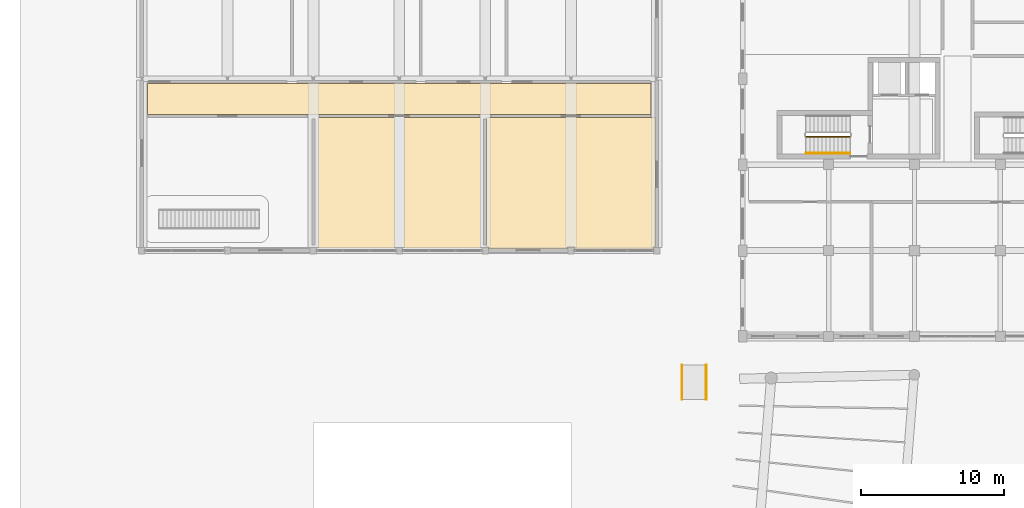
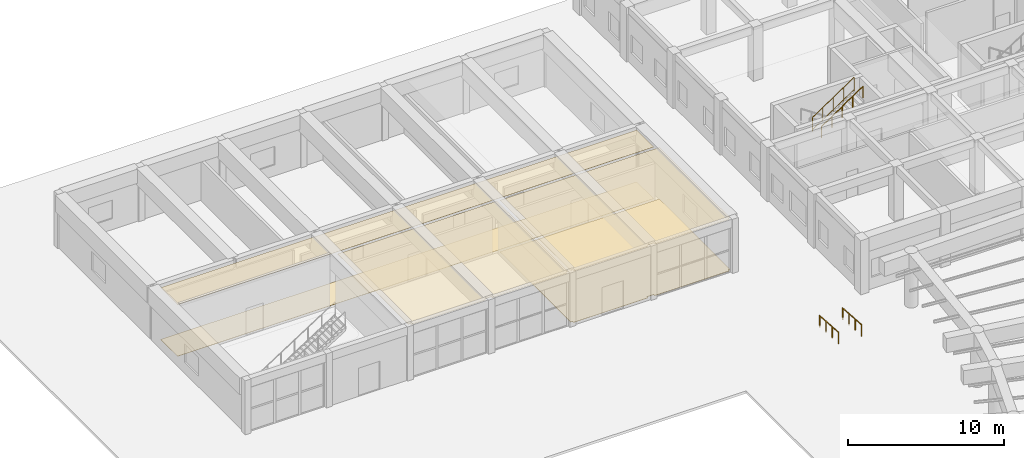
# One storey, part 71 of 76: 5 coverings, 4 railings.
"""IFC4 building model written with IfcOpenShell, lengths in metres."""

from ifc_helpers import new_model, si_unit, direction, frame, origin, origin_2d, place, context, subcontext, project, spatial, polyline, circle, outline, extrude, material, layer, layer_set, type_object, element, save


model = new_model("IFC4")

# Units and contexts
model_context = context("Model", 3, precision=1e-05, world=origin(), true_north=direction((0.0, 1.0)))
body_context = subcontext(model_context, "Body", "Model", "MODEL_VIEW")
ifc_project = project(units=[si_unit("LENGTHUNIT", "METRE"), si_unit("AREAUNIT", "SQUARE_METRE"), si_unit("VOLUMEUNIT", "CUBIC_METRE"), si_unit("PLANEANGLEUNIT", "RADIAN"), si_unit("MASSUNIT", "GRAM", prefix="KILO"), si_unit("POWERUNIT", "WATT"), si_unit("THERMODYNAMICTEMPERATUREUNIT", "KELVIN")], contexts=[model_context])

# Site, building, storey
site_placement = place(None, origin())
site = spatial("IfcSite", under=ifc_project, at=site_placement, CompositionType="ELEMENT")
building_placement = place(site_placement, origin())
building = spatial("IfcBuilding", under=site, at=building_placement, Name="Ruvembo Vaulted Housing Court", CompositionType="ELEMENT")
storey_placement = place(building_placement, origin())
storey = spatial("IfcBuildingStorey", under=building, at=storey_placement, Name="L00", CompositionType="ELEMENT", Elevation=0.0)

# Coverings
ifc_material_1 = material(Name="Perforated Mineral-Fibre Acoustic Tile", Category="gypsum")
ifc_layer_1 = layer(ifc_material_1, 0.02001953125, Name="Perforated Mineral-Fibre Acoustic Tile")
ifc_layer_set_1 = layer_set([ifc_layer_1], Name="Perforated Mineral-Fibre Acoustic Tile")
covering_type_1 = type_object("IfcCoveringType", Name="COV-CEIL-ACOUST", PredefinedType="CEILING", material=ifc_layer_set_1)
covering_1_placement = place(storey_placement, frame((0.0, 0.0, 4.034912109375)))
element("IfcCovering", 1, at=covering_1_placement, inside=storey, type_object=covering_type_1, Name="Nursery L00 Central Corridor Ceiling", PredefinedType="CEILING", context=body_context, shape_type="SweptSolid", body=[
    extrude(outline(polyline([(6.409912109375, 95.68994140625), (6.409912109375, 93.510009765625), (41.590087890625, 93.510009765625), (41.590087890625, 95.68994140625), (6.409912109375, 95.68994140625)])), origin(), (0.0, 0.0, 1.0), 0.02001953125),
])
covering_2_placement = place(storey_placement, frame((0.0, 0.0, 4.034912109375)))
element("IfcCovering", 2, at=covering_2_placement, inside=storey, type_object=covering_type_1, Name="Toddler Playroom 1 Ceiling", PredefinedType="CEILING", context=body_context, shape_type="SweptSolid", body=[
    extrude(outline(polyline([(29.889892578125, 84.2451171875), (29.889892578125, 93.2900390625), (18.110107421875, 93.2900390625), (18.110107421875, 84.2451171875), (18.2451171875, 84.2451171875), (18.2451171875, 84.110107421875), (23.7548828125, 84.110107421875), (23.7548828125, 84.2451171875), (24.2451171875, 84.2451171875), (24.2451171875, 84.110107421875), (29.7548828125, 84.110107421875), (29.7548828125, 84.2451171875), (29.889892578125, 84.2451171875)])), origin(), (0.0, 0.0, 1.0), 0.02001953125),
])
covering_3_placement = place(storey_placement, frame((0.0, 0.0, 4.034912109375)))
element("IfcCovering", 3, at=covering_3_placement, inside=storey, type_object=covering_type_1, Name="Preschool Playroom 2 Ceiling", PredefinedType="CEILING", context=body_context, shape_type="SweptSolid", body=[
    extrude(outline(polyline([(41.889892578125, 84.2451171875), (41.889892578125, 93.2900390625), (30.110107421875, 93.2900390625), (30.110107421875, 84.2451171875), (30.2451171875, 84.2451171875), (30.2451171875, 84.110107421875), (35.7548828125, 84.110107421875), (35.7548828125, 84.2451171875), (36.2451171875, 84.2451171875), (36.2451171875, 84.110107421875), (41.7548828125, 84.110107421875), (41.7548828125, 84.2451171875), (41.889892578125, 84.2451171875)])), origin(), (0.0, 0.0, 1.0), 0.02001953125),
])
ifc_material_2 = material(Name="Polished Cement-Aggregate Terrazzo", Category="stone")
ifc_layer_2 = layer(ifc_material_2, 0.02197265625, Name="Polished Cement-Aggregate Terrazzo")
ifc_layer_set_2 = layer_set([ifc_layer_2], Name="Polished Cement-Aggregate Terrazzo")
covering_type_2 = type_object("IfcCoveringType", Name="COV-FLR-CERAMIC", PredefinedType="FLOORING", material=ifc_layer_set_2)
covering_4_placement = place(storey_placement, origin())
element("IfcCovering", 4, at=covering_4_placement, inside=storey, type_object=covering_type_2, Name="Nursery L00 Central Corridor Flooring", PredefinedType="FLOORING", context=body_context, shape_type="SweptSolid", body=[
    extrude(outline(polyline([(6.409912109375, 95.68994140625), (6.409912109375, 93.510009765625), (41.590087890625, 93.510009765625), (41.590087890625, 95.68994140625), (6.409912109375, 95.68994140625)])), origin(), (0.0, 0.0, 1.0), 0.02197265625),
])
covering_5_placement = place(storey_placement, origin())
element("IfcCovering", 5, at=covering_5_placement, inside=storey, type_object=covering_type_2, Name="Preschool Playroom 2 Flooring", PredefinedType="FLOORING", context=body_context, shape_type="SweptSolid", body=[
    extrude(outline(polyline([(41.889892578125, 84.2451171875), (41.889892578125, 93.2900390625), (30.110107421875, 93.2900390625), (30.110107421875, 84.2451171875), (30.2451171875, 84.2451171875), (30.2451171875, 84.110107421875), (35.7548828125, 84.110107421875), (35.7548828125, 84.2451171875), (36.2451171875, 84.2451171875), (36.2451171875, 84.110107421875), (41.7548828125, 84.110107421875), (41.7548828125, 84.2451171875), (41.889892578125, 84.2451171875)])), origin(), (0.0, 0.0, 1.0), 0.02197265625),
])

# Railings
ifc_material_3 = material(Name="Brushed Stainless Steel 316", Category="steel")
ifc_layer_3 = layer(ifc_material_3, 0.050048828125, Name="Brushed Stainless Steel 316")
ifc_layer_set_3 = layer_set([ifc_layer_3], Name="Brushed Stainless Steel 316")
railing_type_1 = type_object("IfcRailingType", Name="RL-RAMP-HR920", PredefinedType="HANDRAIL", material=ifc_layer_set_3)
for number, where, name in (
    (6, (45.449951171875, 76.0, -0.14990234375), "Ramp RMP-04 Handrail L"),
    (7, (43.75, 76.0, -0.14990234375), "Ramp RMP-04 Handrail R"),
):
    element("IfcRailing", number, at=place(storey_placement, frame(where)), inside=storey, type_object=railing_type_1, Name=name, PredefinedType="HANDRAIL", context=body_context, shape_type="SweptSolid", body=[
        extrude(circle(Radius=0.02392578125, at=origin_2d()), frame((0.0, 0.0, 0.89599609375), z_axis=(0.0, -0.998054948148, 0.062340359935), x_axis=(1.0, 0.0, 0.0)), (0.0, 0.0, 1.0), 2.404541015625),
        extrude(circle(Radius=0.02099609375, at=origin_2d()), origin(), (0.0, 0.0, 1.0), 0.871826171875),
        extrude(circle(Radius=0.02099609375, at=origin_2d()), frame((0.0, -0.800048828125, 0.050048828125)), (0.0, 0.0, 1.0), 0.871826171875),
        extrude(circle(Radius=0.02099609375, at=origin_2d()), frame((0.0, -1.599853515625, 0.099853515625)), (0.0, 0.0, 1.0), 0.871826171875),
        extrude(circle(Radius=0.02099609375, at=origin_2d()), frame((0.0, -2.39990234375, 0.14990234375)), (0.0, 0.0, 1.0), 0.871826171875),
    ])
ifc_material_4 = material(Name="Painted Galvanised Steel S275", Category="steel")
ifc_layer_4 = layer(ifc_material_4, 0.06005859375, Name="Painted Galvanised Steel S275")
ifc_layer_set_4 = layer_set([ifc_layer_4], Name="Painted Galvanised Steel S275")
railing_type_2 = type_object("IfcRailingType", Name="RL-STAIR-GR1100", PredefinedType="GUARDRAIL", material=ifc_layer_set_4)
railing_1_placement = place(storey_placement, frame((52.419921875, 91.949951171875, 2.4375)))
element("IfcRailing", 8, at=railing_1_placement, inside=storey, type_object=railing_type_2, Name="L00 ST-B1 stair guard 3", PredefinedType="GUARDRAIL", context=body_context, shape_type="SweptSolid", body=[
    extrude(circle(Radius=0.02392578125, at=origin_2d()), frame((0.0, 0.0, 1.076171875), z_axis=(0.830913701846, 0.0, 0.55640131208), x_axis=(0.0, 1.0, 0.0)), (0.0, 0.0, 1.0), 3.706787109375),
    extrude(circle(Radius=0.01806640625, at=origin_2d()), frame((0.0, 0.0, 0.1201171875), z_axis=(0.830913701846, 0.0, 0.55640131208), x_axis=(0.0, 1.0, 0.0)), (0.0, 0.0, 1.0), 3.706787109375),
    extrude(circle(Radius=0.02099609375, at=origin_2d()), origin(), (0.0, 0.0, 1.0), 1.052001953125),
    extrude(circle(Radius=0.02099609375, at=origin_2d()), frame((0.77001953125, 0.0, 0.515625)), (0.0, 0.0, 1.0), 1.052001953125),
    extrude(circle(Radius=0.02099609375, at=origin_2d()), frame((1.5400390625, 0.0, 1.03125)), (0.0, 0.0, 1.0), 1.052001953125),
    extrude(circle(Radius=0.02099609375, at=origin_2d()), frame((2.31005859375, 0.0, 1.546875)), (0.0, 0.0, 1.0), 1.052001953125),
    extrude(circle(Radius=0.02099609375, at=origin_2d()), frame((3.080078125, 0.0, 2.0625)), (0.0, 0.0, 1.0), 1.052001953125),
])
ifc_material_5 = material(Name="Brushed Stainless Steel 304", Category="steel")
ifc_layer_5 = layer(ifc_material_5, 0.050048828125, Name="Brushed Stainless Steel 304")
ifc_layer_set_5 = layer_set([ifc_layer_5], Name="Brushed Stainless Steel 304")
railing_type_3 = type_object("IfcRailingType", Name="RL-STAIR-HR920", PredefinedType="HANDRAIL", material=ifc_layer_set_5)
railing_2_placement = place(storey_placement, frame((52.419921875, 90.800048828125, 2.629150390625)))
element("IfcRailing", 9, at=railing_2_placement, inside=storey, type_object=railing_type_3, Name="L00 ST-B1 stair handrail 2", PredefinedType="HANDRAIL", context=body_context, shape_type="SweptSolid", body=[
    extrude(circle(Radius=0.02392578125, at=origin_2d()), frame((0.0, 0.0, 0.8759765625), z_axis=(0.830913701846, 0.0, 0.55640131208), x_axis=(0.0, 1.0, 0.0)), (0.0, 0.0, 1.0), 3.706787109375),
    extrude(circle(Radius=0.02099609375, at=origin_2d()), origin(), (0.0, 0.0, 1.0), 0.851806640625),
    extrude(circle(Radius=0.02099609375, at=origin_2d()), frame((0.77001953125, 0.0, 0.515625)), (0.0, 0.0, 1.0), 0.851806640625),
    extrude(circle(Radius=0.02099609375, at=origin_2d()), frame((1.5400390625, 0.0, 1.03125)), (0.0, 0.0, 1.0), 0.851806640625),
    extrude(circle(Radius=0.02099609375, at=origin_2d()), frame((2.31005859375, 0.0, 1.546875)), (0.0, 0.0, 1.0), 0.851806640625),
    extrude(circle(Radius=0.02099609375, at=origin_2d()), frame((3.080078125, 0.0, 2.0625)), (0.0, 0.0, 1.0), 0.851806640625),
])

save(model, "model.ifc")
